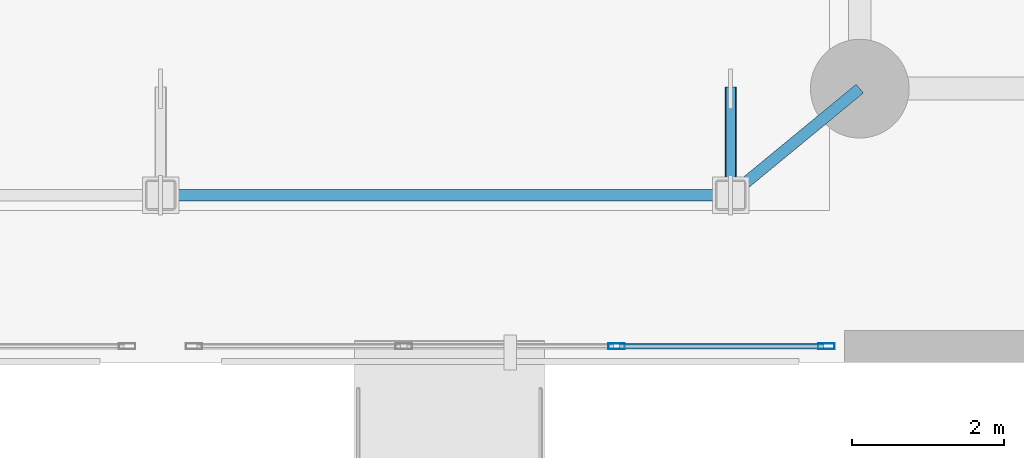
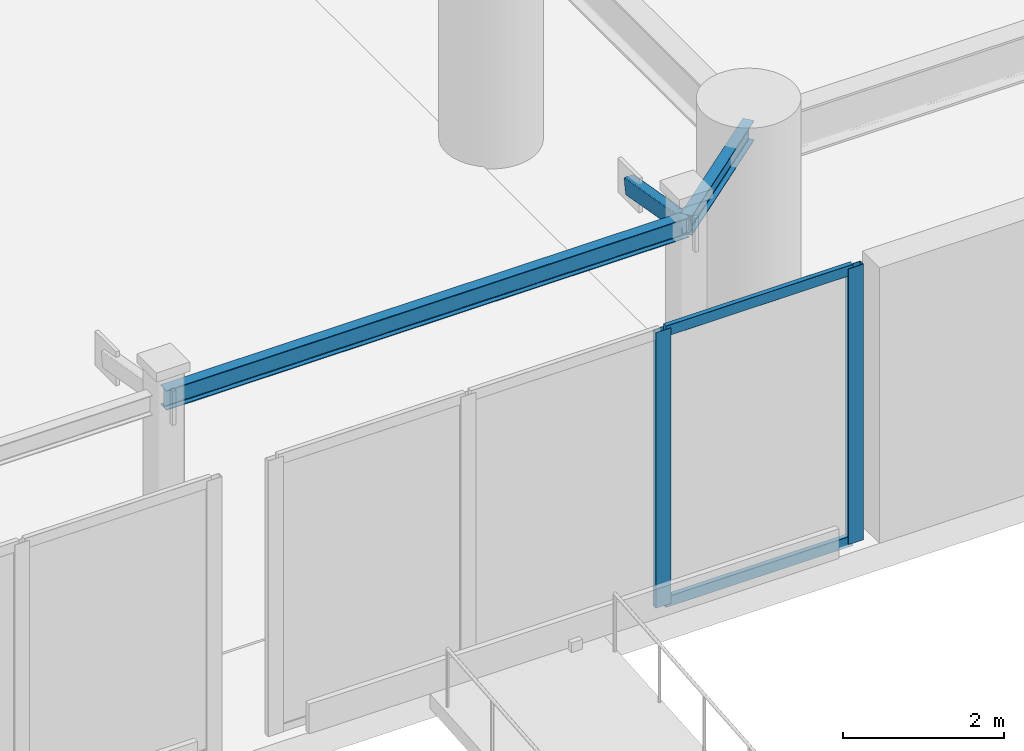
# One storey, part 14 of 42: 5 members, 2 beams, 1 element without a shape of its own.
"""IFC4 building model written with IfcOpenShell, lengths in metres."""

from ifc_helpers import new_model, si_unit, direction, frame, origin, origin_2d, place, context, subcontext, project, spatial, hollow_rectangle, i_section, extrude, material, material_profile, profile_set, type_object, element, aggregate, save


model = new_model("IFC4")

# Units and contexts
model_context = context("Model", 3, precision=1e-05, world=origin(), true_north=direction((0.0, 1.0)))
body_context = subcontext(model_context, "Body", "Model", "MODEL_VIEW")
ifc_project = project(units=[si_unit("LENGTHUNIT", "METRE"), si_unit("AREAUNIT", "SQUARE_METRE"), si_unit("VOLUMEUNIT", "CUBIC_METRE"), si_unit("PLANEANGLEUNIT", "RADIAN"), si_unit("MASSUNIT", "GRAM", prefix="KILO")], contexts=[model_context])

# Site, building, storey
site_placement = place(None, origin())
site = spatial("IfcSite", under=ifc_project, at=site_placement, CompositionType="ELEMENT")
building_placement = place(site_placement, origin())
building = spatial("IfcBuilding", under=site, at=building_placement, Name="Narakoshi Arena Tower", CompositionType="ELEMENT")
storey_placement = place(building_placement, origin())
storey = spatial("IfcBuildingStorey", under=building, at=storey_placement, Name="L00", CompositionType="ELEMENT", Elevation=0.0)

# Beams
ifc_material_1 = material(Name="Structural steel S355J2", Category="steel")
ifc_material_profile_1 = material_profile(ifc_material_1, i_section(OverallWidth=0.14990234375, OverallDepth=0.300048828125, WebThickness=0.007080078125, FlangeThickness=0.0107421875, FilletRadius=0.014892578125, at=origin_2d()), Name="IPE300")
ifc_profile_set_1 = profile_set([ifc_material_profile_1], Name="Structural steel S355J2")
beam_type = type_object("IfcBeamType", Name="BM-CAN-300", PredefinedType="BEAM", material=ifc_profile_set_1)
beam_1_placement = place(storey_placement, frame((61.0, 2.199951171875, 4.030029296875), z_axis=(1.0, 0.0, 0.0), x_axis=(0.0, 1.0, 0.0)))
element("IfcBeam", 1, at=beam_1_placement, inside=storey, type_object=beam_type, Name="L00 Concourse Canopy Beam 03", PredefinedType="BEAM", context=body_context, shape_type="SweptSolid", body=[
    extrude(i_section(OverallWidth=0.14990234375, OverallDepth=0.300048828125, WebThickness=0.007080078125, FlangeThickness=0.0107421875, FilletRadius=0.014892578125, at=origin_2d()), origin(), (0.0, 0.0, 1.0), 7.5),
])
beam_2_placement = place(storey_placement, frame((68.5, 2.199951171875, 4.030029296875), z_axis=(0.771888634484, 0.635757765154, 0.0), x_axis=(-0.635757765154, 0.771888634484, 0.0)))
element("IfcBeam", 2, at=beam_2_placement, inside=storey, type_object=beam_type, Name="L00 Concourse Canopy Beam 04", PredefinedType="BEAM", context=body_context, shape_type="SweptSolid", body=[
    extrude(i_section(OverallWidth=0.14990234375, OverallDepth=0.300048828125, WebThickness=0.007080078125, FlangeThickness=0.0107421875, FilletRadius=0.014892578125, at=origin_2d()), origin(), (0.0, 0.0, 1.0), 2.202392578125),
])

# Member
ifc_material_profile_2 = material_profile(ifc_material_1, hollow_rectangle(XDim=0.14990234375, YDim=0.25, WallThickness=0.010009765625, OuterFilletRadius=0.02001953125, at=origin_2d()), Name="RHS250x150x10")
ifc_profile_set_2 = profile_set([ifc_material_profile_2], Name="Structural steel S355J2")
member_type_1 = type_object("IfcMemberType", Name="MEM-CAN-250", PredefinedType="STRINGER", material=ifc_profile_set_2)
member_1_placement = place(storey_placement, frame((68.5, 2.199951171875, 4.030029296875), z_axis=(0.0, 0.984430758038, -0.175772815385), x_axis=(-1.0, 0.0, 0.0)))
element("IfcMember", 3, at=member_1_placement, inside=storey, type_object=member_type_1, Name="L00 Concourse Canopy Tie 03", PredefinedType="STRINGER", context=body_context, shape_type="SweptSolid", body=[
    extrude(hollow_rectangle(XDim=0.14990234375, YDim=0.25, WallThickness=0.010009765625, OuterFilletRadius=0.02001953125, at=origin_2d()), origin(), (0.0, 0.0, 1.0), 1.42236328125),
])

# Curtain wall, members
ifc_material_2 = material(Name="Anodised bronze aluminium 6063-T6", Category="aluminium")
curtain_wall_type = type_object("IfcCurtainWallType", Name="CW-POD-CONC", PredefinedType="NOTDEFINED", material=ifc_material_2)
curtain_wall_placement = place(storey_placement, origin())
curtain_wall = element("IfcCurtainWall", 4, at=curtain_wall_placement, inside=storey, type_object=curtain_wall_type, Name="L00 Street Concourse Curtain Wall CS2", PredefinedType="NOTDEFINED")
ifc_material_profile_3 = material_profile(ifc_material_2, hollow_rectangle(XDim=0.080078125, YDim=0.219970703125, WallThickness=0.0048828125, OuterFilletRadius=0.006103515625, at=origin_2d()), Name="MUL220x80x5")
ifc_profile_set_3 = profile_set([ifc_material_profile_3], Name="Anodised bronze aluminium 6063-T6")
member_type_2 = type_object("IfcMemberType", Name="MEM-MUL-220", PredefinedType="MULLION", material=ifc_profile_set_3)
member_2_placement = place(storey_placement, frame((67.0, 0.2099609375, 0.0), z_axis=(0.0, 0.0, 1.0), x_axis=(0.0, 1.0, 0.0)))
member_2 = element("IfcMember", 5, at=member_2_placement, type_object=member_type_2, Name="CW-04 mullion 3", PredefinedType="MULLION", context=body_context, shape_type="SweptSolid", body=[
    extrude(hollow_rectangle(XDim=0.080078125, YDim=0.219970703125, WallThickness=0.0048828125, OuterFilletRadius=0.006103515625, at=origin_2d()), origin(), (0.0, 0.0, 1.0), 4.179931640625),
])
member_3_placement = place(storey_placement, frame((69.760009765625, 0.2099609375, 0.0), z_axis=(0.0, 0.0, 1.0), x_axis=(0.0, 1.0, 0.0)))
member_3 = element("IfcMember", 6, at=member_3_placement, type_object=member_type_2, Name="CW-04 mullion 4", PredefinedType="MULLION", context=body_context, shape_type="SweptSolid", body=[
    extrude(hollow_rectangle(XDim=0.080078125, YDim=0.219970703125, WallThickness=0.0048828125, OuterFilletRadius=0.006103515625, at=origin_2d()), origin(), (0.0, 0.0, 1.0), 4.179931640625),
])
ifc_material_profile_4 = material_profile(ifc_material_2, hollow_rectangle(XDim=0.070068359375, YDim=0.159912109375, WallThickness=0.00390625, OuterFilletRadius=0.0048828125, at=origin_2d()), Name="TRN160x70x4")
ifc_profile_set_4 = profile_set([ifc_material_profile_4], Name="Anodised bronze aluminium 6063-T6")
member_type_3 = type_object("IfcMemberType", Name="MEM-TRN-160", PredefinedType="USERDEFINED", material=ifc_profile_set_4)
member_4_placement = place(storey_placement, frame((67.0400390625, 0.2099609375, 0.034912109375), z_axis=(1.0, 0.0, 0.0), x_axis=(0.0, 1.0, 0.0)))
member_4 = element("IfcMember", 7, at=member_4_placement, type_object=member_type_3, Name="CW-04 transom 3.1", ObjectType="TRANSOM", PredefinedType="USERDEFINED", context=body_context, shape_type="SweptSolid", body=[
    extrude(hollow_rectangle(XDim=0.070068359375, YDim=0.159912109375, WallThickness=0.00390625, OuterFilletRadius=0.0048828125, at=origin_2d()), origin(), (0.0, 0.0, 1.0), 2.679931640625),
])
member_5_placement = place(storey_placement, frame((67.0400390625, 0.2099609375, 4.14501953125), z_axis=(1.0, 0.0, 0.0), x_axis=(0.0, 1.0, 0.0)))
member_5 = element("IfcMember", 8, at=member_5_placement, type_object=member_type_3, Name="CW-04 transom 3.2", ObjectType="TRANSOM", PredefinedType="USERDEFINED", context=body_context, shape_type="SweptSolid", body=[
    extrude(hollow_rectangle(XDim=0.070068359375, YDim=0.159912109375, WallThickness=0.00390625, OuterFilletRadius=0.0048828125, at=origin_2d()), origin(), (0.0, 0.0, 1.0), 2.679931640625),
])
aggregate(curtain_wall, [member_2, member_3, member_4, member_5])

save(model, "model.ifc")
